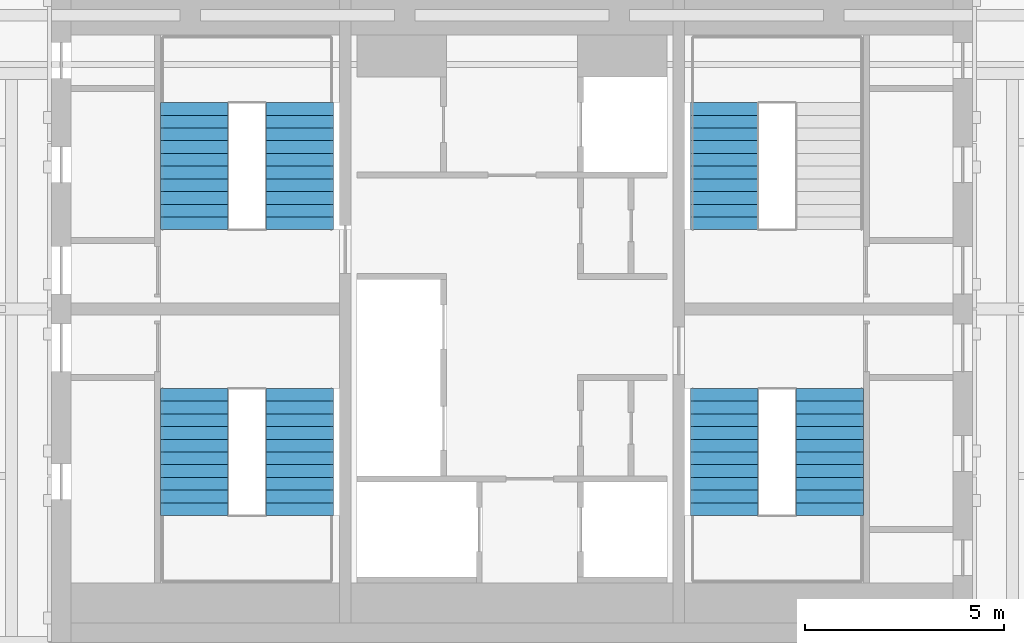
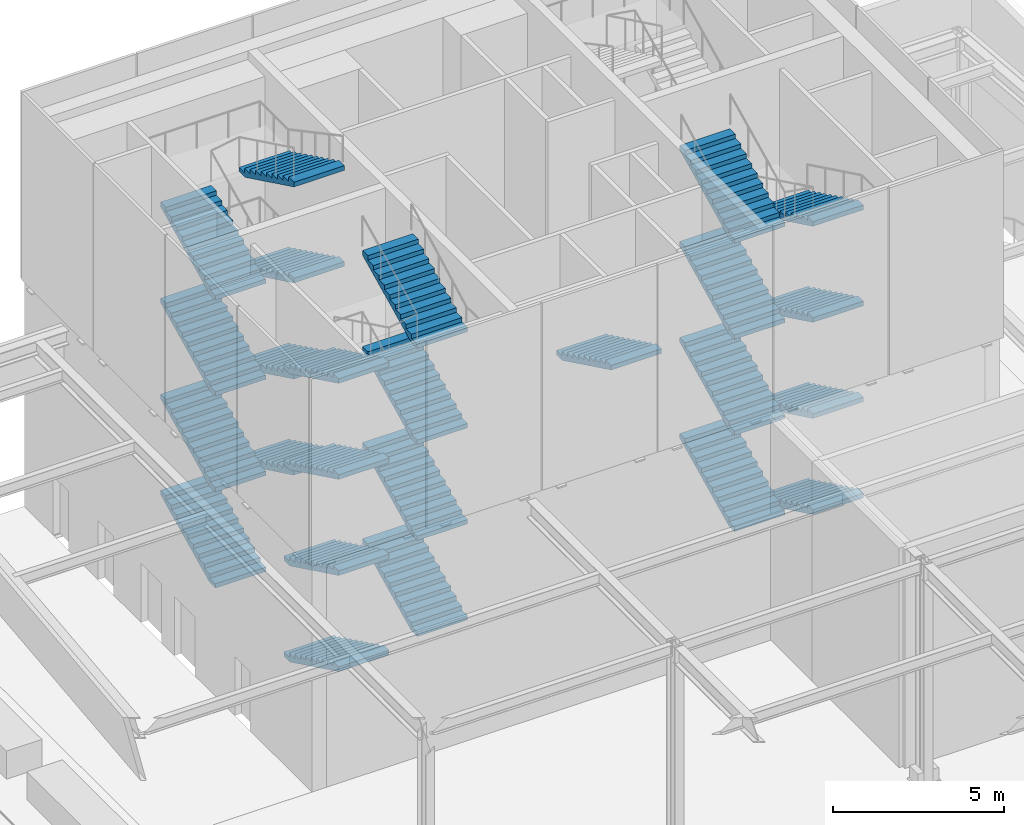
# One storey, part 8 of 14: 25 stair flights, 4 elements without a shape of their own.
"""IFC4 building model written with IfcOpenShell, lengths in metres."""

import ifcopenshell
import ifcopenshell.guid

model = None  # the IFC model being written
_history = None  # IfcOwnerHistory: only IFC2X3 demands one
_inside = {}  # id of a spatial element -> (the spatial element, [elements in it])
_under = {}  # id of a project, library or spatial element -> (it, [spatial elements below it])
_declared = {}  # id of a project -> (the project, [libraries it declares])
_typed = {}  # id of a type object -> (the type object, [elements of that type])
_made_of = {}  # id of a material, layer set ... -> (it, [elements and type objects made of it])


def new_model(schema):
    """Start an empty IFC model of exactly this schema.

    Asked for "IFC4X3", IfcOpenShell would pick the latest addendum, in which some entities
    have other attributes; the version numbers below select the first issue.
    IFC2X3 requires an IfcOwnerHistory on every rooted entity: one is made here for all.
    """
    global model, _history
    if schema == "IFC4X3":
        model = ifcopenshell.file(schema_version=(4, 3, 0, 0))
    else:
        model = ifcopenshell.file(schema=schema)
    _inside.clear()
    _under.clear()
    _declared.clear()
    _typed.clear()
    _made_of.clear()
    _history = None
    if model.schema == "IFC2X3":
        org = make("IfcOrganization", Name="unknown")
        user = make(
            "IfcPersonAndOrganization",
            ThePerson=make("IfcPerson", FamilyName="unknown"),
            TheOrganization=org,
        )
        app = make(
            "IfcApplication",
            ApplicationDeveloper=org,
            Version="unknown",
            ApplicationFullName="unknown",
            ApplicationIdentifier="unknown",
        )
        _history = make(
            "IfcOwnerHistory",
            OwningUser=user,
            OwningApplication=app,
            ChangeAction="ADDED",
            CreationDate=0,
        )
    return model


def make(cls, **values):
    """One entity of the class cls with the attributes given. An attribute that is None is left unset."""
    return model.create_entity(
        cls, **{name: value for name, value in values.items() if value is not None}
    )


def rooted(cls, **values):
    """An entity with a GlobalId (a new one), such as an element, a storey or a relation."""
    return make(cls, GlobalId=ifcopenshell.guid.new(), OwnerHistory=_history, **values)


def si_unit(unit_type, name, prefix=None):
    """IfcSIUnit, for example si_unit("LENGTHUNIT", "METRE", prefix="MILLI")."""
    return make("IfcSIUnit", UnitType=unit_type, Prefix=prefix, Name=name)


def assignment(units):
    """IfcUnitAssignment: the units of a project."""
    return None if units is None else make("IfcUnitAssignment", Units=units)


def point(xyz):
    """IfcCartesianPoint."""
    return None if xyz is None else make("IfcCartesianPoint", Coordinates=xyz)


def direction(xyz):
    """IfcDirection."""
    return None if xyz is None else make("IfcDirection", DirectionRatios=xyz)


def frame(location, z_axis=None, x_axis=None):
    """IfcAxis2Placement3D, a coordinate frame: its origin and axes. An axis left out is left unset."""
    return make(
        "IfcAxis2Placement3D",
        Location=point(location),
        Axis=direction(z_axis),
        RefDirection=direction(x_axis),
    )


def origin():
    """The frame at (0, 0, 0) with its axes left unset."""
    return frame((0.0, 0.0, 0.0))


def place(relative_to, where):
    """IfcLocalPlacement: puts the frame where relative to a parent placement (None: the world)."""
    return make(
        "IfcLocalPlacement", PlacementRelTo=relative_to, RelativePlacement=where
    )


def context(
    kind, dimensions, precision=None, world=None, true_north=None, identifier=None
):
    """IfcGeometricRepresentationContext, for example the 3D "Model" context."""
    return make(
        "IfcGeometricRepresentationContext",
        ContextIdentifier=identifier,
        ContextType=kind,
        CoordinateSpaceDimension=dimensions,
        Precision=precision,
        WorldCoordinateSystem=world,
        TrueNorth=true_north,
    )


def subcontext(parent, identifier, kind, view, scale=None):
    """IfcGeometricRepresentationSubContext, for example "Body" below "Model"."""
    return make(
        "IfcGeometricRepresentationSubContext",
        ContextIdentifier=identifier,
        ContextType=kind,
        ParentContext=parent,
        TargetScale=scale,
        TargetView=view,
    )


def project(units=None, contexts=None):
    """IfcProject with its units and contexts."""
    return rooted(
        "IfcProject",
        Name="project",
        RepresentationContexts=contexts,
        UnitsInContext=assignment(units),
    )


def spatial(cls, under=None, at=None, **own):
    """A site, building, storey or space (cls), placed at a placement, below another one or the project."""
    s = rooted(cls, ObjectPlacement=at, **own)
    if under is not None:
        _under.setdefault(under.id(), (under, []))[1].append(s)
    return s


def polyline(points):
    """IfcPolyline through the points."""
    return make("IfcPolyline", Points=[point(p) for p in points])


def outline(outer, holes=None, kind="AREA"):
    """IfcArbitraryClosedProfileDef: a profile drawn as a closed curve; with holes, ...WithVoids."""
    if holes is None:
        return make("IfcArbitraryClosedProfileDef", ProfileType=kind, OuterCurve=outer)
    return make(
        "IfcArbitraryProfileDefWithVoids",
        ProfileType=kind,
        OuterCurve=outer,
        InnerCurves=holes,
    )


def extrude(swept, where, along, depth):
    """IfcExtrudedAreaSolid: the profile swept, set in the frame where, extruded along a direction by depth."""
    return make(
        "IfcExtrudedAreaSolid",
        SweptArea=swept,
        Position=where,
        ExtrudedDirection=direction(along),
        Depth=depth,
    )


def shape(context_of_items, identifier, shape_type, items):
    """IfcShapeRepresentation: the items that make up one representation, for example the "Body"."""
    return make(
        "IfcShapeRepresentation",
        ContextOfItems=context_of_items,
        RepresentationIdentifier=identifier,
        RepresentationType=shape_type,
        Items=items,
    )


def material(Name=None, Category=None):
    """IfcMaterial."""
    return make("IfcMaterial", Name=Name, Category=Category)


def made_of(thing, what):
    """Note that an element or type object is made of a material, layer set ...; save() writes the relation."""
    if what is not None:
        _made_of.setdefault(what.id(), (what, []))[1].append(thing)
    return thing


def type_object(cls, material=None, **own):
    """A type object (cls), such as IfcWallType, which elements share."""
    return made_of(rooted(cls, **own), material)


def element(
    cls,
    number,
    at=None,
    inside=None,
    cuts=None,
    type_object=None,
    material=None,
    context=None,
    identifier="Body",
    shape_type=None,
    held_by="IfcProductDefinitionShape",
    body=None,
    shapes=None,
    **own,
):
    """One element of the class cls, such as IfcWall. Its Tag is "e" and its number.

    at: its placement. inside: the storey or other place that contains it. cuts: it is an
    opening in that element (IfcRelVoidsElement). A single representation is given by context,
    identifier, shape_type and body (its items); several are given by shapes. held_by: the class
    of the entity that holds the representations. save() writes the other relations.
    """
    e = rooted(cls, Tag="e%d" % number, ObjectPlacement=at, **own)
    if body is not None:
        shapes = [shape(context, identifier, shape_type, body)]
    if shapes is not None:
        e.Representation = make(held_by, Representations=shapes)
    if inside is not None:
        _inside.setdefault(inside.id(), (inside, []))[1].append(e)
    if cuts is not None:
        rooted(
            "IfcRelVoidsElement", RelatingBuildingElement=cuts, RelatedOpeningElement=e
        )
    if type_object is not None:
        _typed.setdefault(type_object.id(), (type_object, []))[1].append(e)
    return made_of(e, material)


def aggregate(whole, parts):
    """IfcRelAggregates: a whole, such as a stair, and the parts it consists of."""
    return rooted("IfcRelAggregates", RelatingObject=whole, RelatedObjects=parts)


def save(model, path):
    """Write the relations noted so far, then the file.

    IfcRelAggregates (storeys below a building ...), IfcRelContainedInSpatialStructure (elements
    in a storey), IfcRelDefinesByType, IfcRelAssociatesMaterial and IfcRelDeclares: one each for
    every whole, place, type object, material and project.
    """
    for whole, parts in _under.values():
        aggregate(whole, parts)
    for where, things in _inside.values():
        rooted(
            "IfcRelContainedInSpatialStructure",
            RelatedElements=things,
            RelatingStructure=where,
        )
    for kind, things in _typed.values():
        rooted("IfcRelDefinesByType", RelatedObjects=things, RelatingType=kind)
    for what, things in _made_of.values():
        rooted("IfcRelAssociatesMaterial", RelatedObjects=things, RelatingMaterial=what)
    for by, libraries in _declared.values():
        rooted("IfcRelDeclares", RelatingContext=by, RelatedDefinitions=libraries)
    model.write(path)


model = new_model("IFC4")

# Units and contexts
model_context = context("Model", 3, precision=1e-05, world=origin(), true_north=direction((0.0, 1.0)))
body_context = subcontext(model_context, "Body", "Model", "MODEL_VIEW")
ifc_project = project(units=[si_unit("LENGTHUNIT", "METRE"), si_unit("AREAUNIT", "SQUARE_METRE"), si_unit("VOLUMEUNIT", "CUBIC_METRE"), si_unit("PLANEANGLEUNIT", "RADIAN"), si_unit("MASSUNIT", "GRAM", prefix="KILO")], contexts=[model_context])

# Site, building, storey
site_placement = place(None, origin())
site = spatial("IfcSite", under=ifc_project, at=site_placement, CompositionType="ELEMENT")
building_placement = place(site_placement, origin())
building = spatial("IfcBuilding", under=site, at=building_placement, Name="Marenta Gate Hotel Tower", CompositionType="ELEMENT")
storey_placement = place(building_placement, frame((0.0, 0.0, 295.699951171875)))
storey = spatial("IfcBuildingStorey", under=building, at=storey_placement, Name="L67", CompositionType="ELEMENT", Elevation=295.699951171875)

# Stair, stair flights
ifc_material_1 = material(Name="Concrete C40", Category="concrete")
stair_type = type_object("IfcStairType", Name="Core exit stair 1700 wide", PredefinedType="HALF_TURN_STAIR", material=ifc_material_1)
stair_1_placement = place(storey_placement, origin())
stair_1 = element("IfcStair", 1, at=stair_1_placement, inside=storey, type_object=stair_type, Name="Exit stair 1", PredefinedType="HALF_TURN_STAIR")
ifc_material_2 = material(Name="Concrete C40", Category="concrete")
stair_flight_type = type_object("IfcStairFlightType", Name="Core stair flight 1700 riser 155.7 going 320", PredefinedType="STRAIGHT", material=ifc_material_2)
stair_flight_1_placement = place(storey_placement, frame((-8.0, 6.39990234375, 0.0), z_axis=(0.0, 0.0, 1.0), x_axis=(0.0, -1.0, 0.0)))
stair_flight_1 = element("IfcStairFlight", 2, at=stair_flight_1_placement, type_object=stair_flight_type, Name="ST1 flight 1", NumberOfRisers=11, NumberOfTreads=10, PredefinedType="STRAIGHT", RiserHeight=0.155682, TreadLength=0.32, context=body_context, shape_type="SweptSolid", body=[
    extrude(outline(polyline([(0.0, 0.0), (0.0, 0.15576171875), (0.320068359375, 0.15576171875), (0.320068359375, 0.311279296875), (0.639892578125, 0.311279296875), (0.639892578125, 0.467041015625), (0.9599609375, 0.467041015625), (0.9599609375, 0.622802734375), (1.280029296875, 0.622802734375), (1.280029296875, 0.7783203125), (1.60009765625, 0.7783203125), (1.60009765625, 0.93408203125), (1.919921875, 0.93408203125), (1.919921875, 1.08984375), (2.239990234375, 1.08984375), (2.239990234375, 1.245361328125), (2.56005859375, 1.245361328125), (2.56005859375, 1.401123046875), (2.8798828125, 1.401123046875), (2.8798828125, 1.556884765625), (3.199951171875, 1.556884765625), (3.199951171875, 1.71240234375), (3.199951171875, 1.39013671875), (0.342529296875, 0.0), (0.0, 0.0)])), frame((0.0, 0.85009765625, 0.0), z_axis=(0.0, -1.0, 0.0), x_axis=(1.0, 0.0, 0.0)), (0.0, 0.0, 1.0), 1.699951171875),
])
stair_flight_2_placement = place(storey_placement, frame((-5.35009765625, 3.199951171875, 1.712646484375), z_axis=(0.0, 0.0, 1.0), x_axis=(0.0, 1.0, 0.0)))
stair_flight_2 = element("IfcStairFlight", 3, at=stair_flight_2_placement, type_object=stair_flight_type, Name="ST1 flight 2", NumberOfRisers=11, NumberOfTreads=10, PredefinedType="STRAIGHT", RiserHeight=0.155682, TreadLength=0.32, context=body_context, shape_type="SweptSolid", body=[
    extrude(outline(polyline([(0.0, 0.0), (0.0, 0.15576171875), (0.320068359375, 0.15576171875), (0.320068359375, 0.311279296875), (0.639892578125, 0.311279296875), (0.639892578125, 0.467041015625), (0.9599609375, 0.467041015625), (0.9599609375, 0.622802734375), (1.280029296875, 0.622802734375), (1.280029296875, 0.7783203125), (1.60009765625, 0.7783203125), (1.60009765625, 0.93408203125), (1.919921875, 0.93408203125), (1.919921875, 1.08984375), (2.239990234375, 1.08984375), (2.239990234375, 1.245361328125), (2.56005859375, 1.245361328125), (2.56005859375, 1.401123046875), (2.8798828125, 1.401123046875), (2.8798828125, 1.556884765625), (3.199951171875, 1.556884765625), (3.199951171875, 1.71240234375), (3.199951171875, 1.39013671875), (0.342529296875, 0.0), (0.0, 0.0)])), frame((0.0, 0.85009765625, 0.0), z_axis=(0.0, -1.0, 0.0), x_axis=(1.0, 0.0, 0.0)), (0.0, 0.0, 1.0), 1.699951171875),
])
stair_flight_3_placement = place(storey_placement, frame((-8.0, 6.39990234375, 3.425048828125), z_axis=(0.0, 0.0, 1.0), x_axis=(0.0, -1.0, 0.0)))
stair_flight_3 = element("IfcStairFlight", 4, at=stair_flight_3_placement, type_object=stair_flight_type, Name="ST1 flight 3", NumberOfRisers=11, NumberOfTreads=10, PredefinedType="STRAIGHT", RiserHeight=0.155682, TreadLength=0.32, context=body_context, shape_type="SweptSolid", body=[
    extrude(outline(polyline([(0.0, 0.0), (0.0, 0.15576171875), (0.320068359375, 0.15576171875), (0.320068359375, 0.311279296875), (0.639892578125, 0.311279296875), (0.639892578125, 0.467041015625), (0.9599609375, 0.467041015625), (0.9599609375, 0.622802734375), (1.280029296875, 0.622802734375), (1.280029296875, 0.7783203125), (1.60009765625, 0.7783203125), (1.60009765625, 0.93408203125), (1.919921875, 0.93408203125), (1.919921875, 1.08984375), (2.239990234375, 1.08984375), (2.239990234375, 1.245361328125), (2.56005859375, 1.245361328125), (2.56005859375, 1.401123046875), (2.8798828125, 1.401123046875), (2.8798828125, 1.556884765625), (3.199951171875, 1.556884765625), (3.199951171875, 1.71240234375), (3.199951171875, 1.39013671875), (0.342529296875, 0.0), (0.0, 0.0)])), frame((0.0, 0.85009765625, 0.0), z_axis=(0.0, -1.0, 0.0), x_axis=(1.0, 0.0, 0.0)), (0.0, 0.0, 1.0), 1.699951171875),
])
stair_flight_4_placement = place(storey_placement, frame((-5.35009765625, 3.199951171875, 5.137451171875), z_axis=(0.0, 0.0, 1.0), x_axis=(0.0, 1.0, 0.0)))
stair_flight_4 = element("IfcStairFlight", 5, at=stair_flight_4_placement, type_object=stair_flight_type, Name="ST1 flight 4", NumberOfRisers=11, NumberOfTreads=10, PredefinedType="STRAIGHT", RiserHeight=0.155682, TreadLength=0.32, context=body_context, shape_type="SweptSolid", body=[
    extrude(outline(polyline([(0.0, 0.0), (0.0, 0.15576171875), (0.320068359375, 0.15576171875), (0.320068359375, 0.311279296875), (0.639892578125, 0.311279296875), (0.639892578125, 0.467041015625), (0.9599609375, 0.467041015625), (0.9599609375, 0.622802734375), (1.280029296875, 0.622802734375), (1.280029296875, 0.7783203125), (1.60009765625, 0.7783203125), (1.60009765625, 0.93408203125), (1.919921875, 0.93408203125), (1.919921875, 1.08984375), (2.239990234375, 1.08984375), (2.239990234375, 1.245361328125), (2.56005859375, 1.245361328125), (2.56005859375, 1.401123046875), (2.8798828125, 1.401123046875), (2.8798828125, 1.556884765625), (3.199951171875, 1.556884765625), (3.199951171875, 1.71240234375), (3.199951171875, 1.39013671875), (0.342529296875, 0.0), (0.0, 0.0)])), frame((0.0, 0.85009765625, 0.0), z_axis=(0.0, -1.0, 0.0), x_axis=(1.0, 0.0, 0.0)), (0.0, 0.0, 1.0), 1.699951171875),
])
stair_flight_5_placement = place(storey_placement, frame((-8.0, 6.39990234375, 6.85009765625), z_axis=(0.0, 0.0, 1.0), x_axis=(0.0, -1.0, 0.0)))
stair_flight_5 = element("IfcStairFlight", 6, at=stair_flight_5_placement, type_object=stair_flight_type, Name="ST1 flight 5", NumberOfRisers=11, NumberOfTreads=10, PredefinedType="STRAIGHT", RiserHeight=0.155682, TreadLength=0.32, context=body_context, shape_type="SweptSolid", body=[
    extrude(outline(polyline([(0.0, 0.0), (0.0, 0.15576171875), (0.320068359375, 0.15576171875), (0.320068359375, 0.311279296875), (0.639892578125, 0.311279296875), (0.639892578125, 0.467041015625), (0.9599609375, 0.467041015625), (0.9599609375, 0.622802734375), (1.280029296875, 0.622802734375), (1.280029296875, 0.7783203125), (1.60009765625, 0.7783203125), (1.60009765625, 0.93408203125), (1.919921875, 0.93408203125), (1.919921875, 1.08984375), (2.239990234375, 1.08984375), (2.239990234375, 1.245361328125), (2.56005859375, 1.245361328125), (2.56005859375, 1.401123046875), (2.8798828125, 1.401123046875), (2.8798828125, 1.556884765625), (3.199951171875, 1.556884765625), (3.199951171875, 1.71240234375), (3.199951171875, 1.39013671875), (0.342529296875, 0.0), (0.0, 0.0)])), frame((0.0, 0.85009765625, 0.0), z_axis=(0.0, -1.0, 0.0), x_axis=(1.0, 0.0, 0.0)), (0.0, 0.0, 1.0), 1.699951171875),
])
stair_flight_6_placement = place(storey_placement, frame((-5.35009765625, 3.199951171875, 8.5625), z_axis=(0.0, 0.0, 1.0), x_axis=(0.0, 1.0, 0.0)))
stair_flight_6 = element("IfcStairFlight", 7, at=stair_flight_6_placement, type_object=stair_flight_type, Name="ST1 flight 6", NumberOfRisers=11, NumberOfTreads=10, PredefinedType="STRAIGHT", RiserHeight=0.155682, TreadLength=0.32, context=body_context, shape_type="SweptSolid", body=[
    extrude(outline(polyline([(0.0, 0.0), (0.0, 0.15576171875), (0.320068359375, 0.15576171875), (0.320068359375, 0.311279296875), (0.639892578125, 0.311279296875), (0.639892578125, 0.467041015625), (0.9599609375, 0.467041015625), (0.9599609375, 0.622802734375), (1.280029296875, 0.622802734375), (1.280029296875, 0.7783203125), (1.60009765625, 0.7783203125), (1.60009765625, 0.93408203125), (1.919921875, 0.93408203125), (1.919921875, 1.08984375), (2.239990234375, 1.08984375), (2.239990234375, 1.245361328125), (2.56005859375, 1.245361328125), (2.56005859375, 1.401123046875), (2.8798828125, 1.401123046875), (2.8798828125, 1.556884765625), (3.199951171875, 1.556884765625), (3.199951171875, 1.71240234375), (3.199951171875, 1.39013671875), (0.342529296875, 0.0), (0.0, 0.0)])), frame((0.0, 0.85009765625, 0.0), z_axis=(0.0, -1.0, 0.0), x_axis=(1.0, 0.0, 0.0)), (0.0, 0.0, 1.0), 1.699951171875),
])
stair_flight_7_placement = place(storey_placement, frame((-8.0, 6.39990234375, 10.275146484375), z_axis=(0.0, 0.0, 1.0), x_axis=(0.0, -1.0, 0.0)))
stair_flight_7 = element("IfcStairFlight", 8, at=stair_flight_7_placement, type_object=stair_flight_type, Name="ST1 flight 7", NumberOfRisers=11, NumberOfTreads=10, PredefinedType="STRAIGHT", RiserHeight=0.155682, TreadLength=0.32, context=body_context, shape_type="SweptSolid", body=[
    extrude(outline(polyline([(0.0, 0.0), (0.0, 0.15576171875), (0.320068359375, 0.15576171875), (0.320068359375, 0.311279296875), (0.639892578125, 0.311279296875), (0.639892578125, 0.467041015625), (0.9599609375, 0.467041015625), (0.9599609375, 0.622802734375), (1.280029296875, 0.622802734375), (1.280029296875, 0.7783203125), (1.60009765625, 0.7783203125), (1.60009765625, 0.93408203125), (1.919921875, 0.93408203125), (1.919921875, 1.08984375), (2.239990234375, 1.08984375), (2.239990234375, 1.245361328125), (2.56005859375, 1.245361328125), (2.56005859375, 1.401123046875), (2.8798828125, 1.401123046875), (2.8798828125, 1.556884765625), (3.199951171875, 1.556884765625), (3.199951171875, 1.71240234375), (3.199951171875, 1.39013671875), (0.342529296875, 0.0), (0.0, 0.0)])), frame((0.0, 0.85009765625, 0.0), z_axis=(0.0, -1.0, 0.0), x_axis=(1.0, 0.0, 0.0)), (0.0, 0.0, 1.0), 1.699951171875),
])
stair_flight_8_placement = place(storey_placement, frame((-5.35009765625, 3.199951171875, 11.987548828125), z_axis=(0.0, 0.0, 1.0), x_axis=(0.0, 1.0, 0.0)))
stair_flight_8 = element("IfcStairFlight", 9, at=stair_flight_8_placement, type_object=stair_flight_type, Name="ST1 flight 8", NumberOfRisers=11, NumberOfTreads=10, PredefinedType="STRAIGHT", RiserHeight=0.155682, TreadLength=0.32, context=body_context, shape_type="SweptSolid", body=[
    extrude(outline(polyline([(0.0, 0.0), (0.0, 0.15576171875), (0.320068359375, 0.15576171875), (0.320068359375, 0.311279296875), (0.639892578125, 0.311279296875), (0.639892578125, 0.467041015625), (0.9599609375, 0.467041015625), (0.9599609375, 0.622802734375), (1.280029296875, 0.622802734375), (1.280029296875, 0.7783203125), (1.60009765625, 0.7783203125), (1.60009765625, 0.93408203125), (1.919921875, 0.93408203125), (1.919921875, 1.08984375), (2.239990234375, 1.08984375), (2.239990234375, 1.245361328125), (2.56005859375, 1.245361328125), (2.56005859375, 1.401123046875), (2.8798828125, 1.401123046875), (2.8798828125, 1.556884765625), (3.199951171875, 1.556884765625), (3.199951171875, 1.71240234375), (3.199951171875, 1.39013671875), (0.342529296875, 0.0), (0.0, 0.0)])), frame((0.0, 0.85009765625, 0.0), z_axis=(0.0, -1.0, 0.0), x_axis=(1.0, 0.0, 0.0)), (0.0, 0.0, 1.0), 1.699951171875),
])
aggregate(stair_1, [stair_flight_1, stair_flight_2, stair_flight_3, stair_flight_4, stair_flight_5, stair_flight_6, stair_flight_7, stair_flight_8])

stair_2_placement = place(storey_placement, origin())
stair_2 = element("IfcStair", 10, at=stair_2_placement, inside=storey, type_object=stair_type, Name="Exit stair 2", PredefinedType="HALF_TURN_STAIR")
stair_flight_9_placement = place(storey_placement, frame((-8.0, 10.39990234375, 0.0), z_axis=(0.0, 0.0, 1.0), x_axis=(0.0, 1.0, 0.0)))
stair_flight_9 = element("IfcStairFlight", 11, at=stair_flight_9_placement, type_object=stair_flight_type, Name="ST2 flight 1", NumberOfRisers=11, NumberOfTreads=10, PredefinedType="STRAIGHT", RiserHeight=0.155682, TreadLength=0.32, context=body_context, shape_type="SweptSolid", body=[
    extrude(outline(polyline([(0.0, 0.0), (0.0, 0.15576171875), (0.320068359375, 0.15576171875), (0.320068359375, 0.311279296875), (0.639892578125, 0.311279296875), (0.639892578125, 0.467041015625), (0.9599609375, 0.467041015625), (0.9599609375, 0.622802734375), (1.280029296875, 0.622802734375), (1.280029296875, 0.7783203125), (1.60009765625, 0.7783203125), (1.60009765625, 0.93408203125), (1.919921875, 0.93408203125), (1.919921875, 1.08984375), (2.239990234375, 1.08984375), (2.239990234375, 1.245361328125), (2.56005859375, 1.245361328125), (2.56005859375, 1.401123046875), (2.8798828125, 1.401123046875), (2.8798828125, 1.556884765625), (3.199951171875, 1.556884765625), (3.199951171875, 1.71240234375), (3.199951171875, 1.39013671875), (0.342529296875, 0.0), (0.0, 0.0)])), frame((0.0, 0.85009765625, 0.0), z_axis=(0.0, -1.0, 0.0), x_axis=(1.0, 0.0, 0.0)), (0.0, 0.0, 1.0), 1.699951171875),
])
stair_flight_10_placement = place(storey_placement, frame((-5.35009765625, 13.60009765625, 1.712646484375), z_axis=(0.0, 0.0, 1.0), x_axis=(0.0, -1.0, 0.0)))
stair_flight_10 = element("IfcStairFlight", 12, at=stair_flight_10_placement, type_object=stair_flight_type, Name="ST2 flight 2", NumberOfRisers=11, NumberOfTreads=10, PredefinedType="STRAIGHT", RiserHeight=0.155682, TreadLength=0.32, context=body_context, shape_type="SweptSolid", body=[
    extrude(outline(polyline([(0.0, 0.0), (0.0, 0.15576171875), (0.320068359375, 0.15576171875), (0.320068359375, 0.311279296875), (0.639892578125, 0.311279296875), (0.639892578125, 0.467041015625), (0.9599609375, 0.467041015625), (0.9599609375, 0.622802734375), (1.280029296875, 0.622802734375), (1.280029296875, 0.7783203125), (1.60009765625, 0.7783203125), (1.60009765625, 0.93408203125), (1.919921875, 0.93408203125), (1.919921875, 1.08984375), (2.239990234375, 1.08984375), (2.239990234375, 1.245361328125), (2.56005859375, 1.245361328125), (2.56005859375, 1.401123046875), (2.8798828125, 1.401123046875), (2.8798828125, 1.556884765625), (3.199951171875, 1.556884765625), (3.199951171875, 1.71240234375), (3.199951171875, 1.39013671875), (0.342529296875, 0.0), (0.0, 0.0)])), frame((0.0, 0.85009765625, 0.0), z_axis=(0.0, -1.0, 0.0), x_axis=(1.0, 0.0, 0.0)), (0.0, 0.0, 1.0), 1.699951171875),
])
stair_flight_11_placement = place(storey_placement, frame((-8.0, 10.39990234375, 3.425048828125), z_axis=(0.0, 0.0, 1.0), x_axis=(0.0, 1.0, 0.0)))
stair_flight_11 = element("IfcStairFlight", 13, at=stair_flight_11_placement, type_object=stair_flight_type, Name="ST2 flight 3", NumberOfRisers=11, NumberOfTreads=10, PredefinedType="STRAIGHT", RiserHeight=0.155682, TreadLength=0.32, context=body_context, shape_type="SweptSolid", body=[
    extrude(outline(polyline([(0.0, 0.0), (0.0, 0.15576171875), (0.320068359375, 0.15576171875), (0.320068359375, 0.311279296875), (0.639892578125, 0.311279296875), (0.639892578125, 0.467041015625), (0.9599609375, 0.467041015625), (0.9599609375, 0.622802734375), (1.280029296875, 0.622802734375), (1.280029296875, 0.7783203125), (1.60009765625, 0.7783203125), (1.60009765625, 0.93408203125), (1.919921875, 0.93408203125), (1.919921875, 1.08984375), (2.239990234375, 1.08984375), (2.239990234375, 1.245361328125), (2.56005859375, 1.245361328125), (2.56005859375, 1.401123046875), (2.8798828125, 1.401123046875), (2.8798828125, 1.556884765625), (3.199951171875, 1.556884765625), (3.199951171875, 1.71240234375), (3.199951171875, 1.39013671875), (0.342529296875, 0.0), (0.0, 0.0)])), frame((0.0, 0.85009765625, 0.0), z_axis=(0.0, -1.0, 0.0), x_axis=(1.0, 0.0, 0.0)), (0.0, 0.0, 1.0), 1.699951171875),
])
stair_flight_12_placement = place(storey_placement, frame((-5.35009765625, 13.60009765625, 5.137451171875), z_axis=(0.0, 0.0, 1.0), x_axis=(0.0, -1.0, 0.0)))
stair_flight_12 = element("IfcStairFlight", 14, at=stair_flight_12_placement, type_object=stair_flight_type, Name="ST2 flight 4", NumberOfRisers=11, NumberOfTreads=10, PredefinedType="STRAIGHT", RiserHeight=0.155682, TreadLength=0.32, context=body_context, shape_type="SweptSolid", body=[
    extrude(outline(polyline([(0.0, 0.0), (0.0, 0.15576171875), (0.320068359375, 0.15576171875), (0.320068359375, 0.311279296875), (0.639892578125, 0.311279296875), (0.639892578125, 0.467041015625), (0.9599609375, 0.467041015625), (0.9599609375, 0.622802734375), (1.280029296875, 0.622802734375), (1.280029296875, 0.7783203125), (1.60009765625, 0.7783203125), (1.60009765625, 0.93408203125), (1.919921875, 0.93408203125), (1.919921875, 1.08984375), (2.239990234375, 1.08984375), (2.239990234375, 1.245361328125), (2.56005859375, 1.245361328125), (2.56005859375, 1.401123046875), (2.8798828125, 1.401123046875), (2.8798828125, 1.556884765625), (3.199951171875, 1.556884765625), (3.199951171875, 1.71240234375), (3.199951171875, 1.39013671875), (0.342529296875, 0.0), (0.0, 0.0)])), frame((0.0, 0.85009765625, 0.0), z_axis=(0.0, -1.0, 0.0), x_axis=(1.0, 0.0, 0.0)), (0.0, 0.0, 1.0), 1.699951171875),
])
stair_flight_13_placement = place(storey_placement, frame((-8.0, 10.39990234375, 6.85009765625), z_axis=(0.0, 0.0, 1.0), x_axis=(0.0, 1.0, 0.0)))
stair_flight_13 = element("IfcStairFlight", 15, at=stair_flight_13_placement, type_object=stair_flight_type, Name="ST2 flight 5", NumberOfRisers=11, NumberOfTreads=10, PredefinedType="STRAIGHT", RiserHeight=0.155682, TreadLength=0.32, context=body_context, shape_type="SweptSolid", body=[
    extrude(outline(polyline([(0.0, 0.0), (0.0, 0.15576171875), (0.320068359375, 0.15576171875), (0.320068359375, 0.311279296875), (0.639892578125, 0.311279296875), (0.639892578125, 0.467041015625), (0.9599609375, 0.467041015625), (0.9599609375, 0.622802734375), (1.280029296875, 0.622802734375), (1.280029296875, 0.7783203125), (1.60009765625, 0.7783203125), (1.60009765625, 0.93408203125), (1.919921875, 0.93408203125), (1.919921875, 1.08984375), (2.239990234375, 1.08984375), (2.239990234375, 1.245361328125), (2.56005859375, 1.245361328125), (2.56005859375, 1.401123046875), (2.8798828125, 1.401123046875), (2.8798828125, 1.556884765625), (3.199951171875, 1.556884765625), (3.199951171875, 1.71240234375), (3.199951171875, 1.39013671875), (0.342529296875, 0.0), (0.0, 0.0)])), frame((0.0, 0.85009765625, 0.0), z_axis=(0.0, -1.0, 0.0), x_axis=(1.0, 0.0, 0.0)), (0.0, 0.0, 1.0), 1.699951171875),
])
stair_flight_14_placement = place(storey_placement, frame((-5.35009765625, 13.60009765625, 8.5625), z_axis=(0.0, 0.0, 1.0), x_axis=(0.0, -1.0, 0.0)))
stair_flight_14 = element("IfcStairFlight", 16, at=stair_flight_14_placement, type_object=stair_flight_type, Name="ST2 flight 6", NumberOfRisers=11, NumberOfTreads=10, PredefinedType="STRAIGHT", RiserHeight=0.155682, TreadLength=0.32, context=body_context, shape_type="SweptSolid", body=[
    extrude(outline(polyline([(0.0, 0.0), (0.0, 0.15576171875), (0.320068359375, 0.15576171875), (0.320068359375, 0.311279296875), (0.639892578125, 0.311279296875), (0.639892578125, 0.467041015625), (0.9599609375, 0.467041015625), (0.9599609375, 0.622802734375), (1.280029296875, 0.622802734375), (1.280029296875, 0.7783203125), (1.60009765625, 0.7783203125), (1.60009765625, 0.93408203125), (1.919921875, 0.93408203125), (1.919921875, 1.08984375), (2.239990234375, 1.08984375), (2.239990234375, 1.245361328125), (2.56005859375, 1.245361328125), (2.56005859375, 1.401123046875), (2.8798828125, 1.401123046875), (2.8798828125, 1.556884765625), (3.199951171875, 1.556884765625), (3.199951171875, 1.71240234375), (3.199951171875, 1.39013671875), (0.342529296875, 0.0), (0.0, 0.0)])), frame((0.0, 0.85009765625, 0.0), z_axis=(0.0, -1.0, 0.0), x_axis=(1.0, 0.0, 0.0)), (0.0, 0.0, 1.0), 1.699951171875),
])
stair_flight_15_placement = place(storey_placement, frame((-8.0, 10.39990234375, 10.275146484375), z_axis=(0.0, 0.0, 1.0), x_axis=(0.0, 1.0, 0.0)))
stair_flight_15 = element("IfcStairFlight", 17, at=stair_flight_15_placement, type_object=stair_flight_type, Name="ST2 flight 7", NumberOfRisers=11, NumberOfTreads=10, PredefinedType="STRAIGHT", RiserHeight=0.155682, TreadLength=0.32, context=body_context, shape_type="SweptSolid", body=[
    extrude(outline(polyline([(0.0, 0.0), (0.0, 0.15576171875), (0.320068359375, 0.15576171875), (0.320068359375, 0.311279296875), (0.639892578125, 0.311279296875), (0.639892578125, 0.467041015625), (0.9599609375, 0.467041015625), (0.9599609375, 0.622802734375), (1.280029296875, 0.622802734375), (1.280029296875, 0.7783203125), (1.60009765625, 0.7783203125), (1.60009765625, 0.93408203125), (1.919921875, 0.93408203125), (1.919921875, 1.08984375), (2.239990234375, 1.08984375), (2.239990234375, 1.245361328125), (2.56005859375, 1.245361328125), (2.56005859375, 1.401123046875), (2.8798828125, 1.401123046875), (2.8798828125, 1.556884765625), (3.199951171875, 1.556884765625), (3.199951171875, 1.71240234375), (3.199951171875, 1.39013671875), (0.342529296875, 0.0), (0.0, 0.0)])), frame((0.0, 0.85009765625, 0.0), z_axis=(0.0, -1.0, 0.0), x_axis=(1.0, 0.0, 0.0)), (0.0, 0.0, 1.0), 1.699951171875),
])
stair_flight_16_placement = place(storey_placement, frame((-5.35009765625, 13.60009765625, 11.987548828125), z_axis=(0.0, 0.0, 1.0), x_axis=(0.0, -1.0, 0.0)))
stair_flight_16 = element("IfcStairFlight", 18, at=stair_flight_16_placement, type_object=stair_flight_type, Name="ST2 flight 8", NumberOfRisers=11, NumberOfTreads=10, PredefinedType="STRAIGHT", RiserHeight=0.155682, TreadLength=0.32, context=body_context, shape_type="SweptSolid", body=[
    extrude(outline(polyline([(0.0, 0.0), (0.0, 0.15576171875), (0.320068359375, 0.15576171875), (0.320068359375, 0.311279296875), (0.639892578125, 0.311279296875), (0.639892578125, 0.467041015625), (0.9599609375, 0.467041015625), (0.9599609375, 0.622802734375), (1.280029296875, 0.622802734375), (1.280029296875, 0.7783203125), (1.60009765625, 0.7783203125), (1.60009765625, 0.93408203125), (1.919921875, 0.93408203125), (1.919921875, 1.08984375), (2.239990234375, 1.08984375), (2.239990234375, 1.245361328125), (2.56005859375, 1.245361328125), (2.56005859375, 1.401123046875), (2.8798828125, 1.401123046875), (2.8798828125, 1.556884765625), (3.199951171875, 1.556884765625), (3.199951171875, 1.71240234375), (3.199951171875, 1.39013671875), (0.342529296875, 0.0), (0.0, 0.0)])), frame((0.0, 0.85009765625, 0.0), z_axis=(0.0, -1.0, 0.0), x_axis=(1.0, 0.0, 0.0)), (0.0, 0.0, 1.0), 1.699951171875),
])
aggregate(stair_2, [stair_flight_9, stair_flight_10, stair_flight_11, stair_flight_12, stair_flight_13, stair_flight_14, stair_flight_15, stair_flight_16])

stair_3_placement = place(storey_placement, origin())
stair_3 = element("IfcStair", 19, at=stair_3_placement, inside=storey, type_object=stair_type, Name="Exit stair 3", PredefinedType="HALF_TURN_STAIR")
stair_flight_17_placement = place(storey_placement, frame((8.0, 6.39990234375, 0.0), z_axis=(0.0, 0.0, 1.0), x_axis=(0.0, -1.0, 0.0)))
stair_flight_17 = element("IfcStairFlight", 20, at=stair_flight_17_placement, type_object=stair_flight_type, Name="ST3 flight 1", NumberOfRisers=11, NumberOfTreads=10, PredefinedType="STRAIGHT", RiserHeight=0.155682, TreadLength=0.32, context=body_context, shape_type="SweptSolid", body=[
    extrude(outline(polyline([(0.0, 0.0), (0.0, 0.15576171875), (0.320068359375, 0.15576171875), (0.320068359375, 0.311279296875), (0.639892578125, 0.311279296875), (0.639892578125, 0.467041015625), (0.9599609375, 0.467041015625), (0.9599609375, 0.622802734375), (1.280029296875, 0.622802734375), (1.280029296875, 0.7783203125), (1.60009765625, 0.7783203125), (1.60009765625, 0.93408203125), (1.919921875, 0.93408203125), (1.919921875, 1.08984375), (2.239990234375, 1.08984375), (2.239990234375, 1.245361328125), (2.56005859375, 1.245361328125), (2.56005859375, 1.401123046875), (2.8798828125, 1.401123046875), (2.8798828125, 1.556884765625), (3.199951171875, 1.556884765625), (3.199951171875, 1.71240234375), (3.199951171875, 1.39013671875), (0.342529296875, 0.0), (0.0, 0.0)])), frame((0.0, 0.85009765625, 0.0), z_axis=(0.0, -1.0, 0.0), x_axis=(1.0, 0.0, 0.0)), (0.0, 0.0, 1.0), 1.699951171875),
])
stair_flight_18_placement = place(storey_placement, frame((5.35009765625, 3.199951171875, 1.712646484375), z_axis=(0.0, 0.0, 1.0), x_axis=(0.0, 1.0, 0.0)))
stair_flight_18 = element("IfcStairFlight", 21, at=stair_flight_18_placement, type_object=stair_flight_type, Name="ST3 flight 2", NumberOfRisers=11, NumberOfTreads=10, PredefinedType="STRAIGHT", RiserHeight=0.155682, TreadLength=0.32, context=body_context, shape_type="SweptSolid", body=[
    extrude(outline(polyline([(0.0, 0.0), (0.0, 0.15576171875), (0.320068359375, 0.15576171875), (0.320068359375, 0.311279296875), (0.639892578125, 0.311279296875), (0.639892578125, 0.467041015625), (0.9599609375, 0.467041015625), (0.9599609375, 0.622802734375), (1.280029296875, 0.622802734375), (1.280029296875, 0.7783203125), (1.60009765625, 0.7783203125), (1.60009765625, 0.93408203125), (1.919921875, 0.93408203125), (1.919921875, 1.08984375), (2.239990234375, 1.08984375), (2.239990234375, 1.245361328125), (2.56005859375, 1.245361328125), (2.56005859375, 1.401123046875), (2.8798828125, 1.401123046875), (2.8798828125, 1.556884765625), (3.199951171875, 1.556884765625), (3.199951171875, 1.71240234375), (3.199951171875, 1.39013671875), (0.342529296875, 0.0), (0.0, 0.0)])), frame((0.0, 0.85009765625, 0.0), z_axis=(0.0, -1.0, 0.0), x_axis=(1.0, 0.0, 0.0)), (0.0, 0.0, 1.0), 1.699951171875),
])
stair_flight_19_placement = place(storey_placement, frame((8.0, 6.39990234375, 3.425048828125), z_axis=(0.0, 0.0, 1.0), x_axis=(0.0, -1.0, 0.0)))
stair_flight_19 = element("IfcStairFlight", 22, at=stair_flight_19_placement, type_object=stair_flight_type, Name="ST3 flight 3", NumberOfRisers=11, NumberOfTreads=10, PredefinedType="STRAIGHT", RiserHeight=0.155682, TreadLength=0.32, context=body_context, shape_type="SweptSolid", body=[
    extrude(outline(polyline([(0.0, 0.0), (0.0, 0.15576171875), (0.320068359375, 0.15576171875), (0.320068359375, 0.311279296875), (0.639892578125, 0.311279296875), (0.639892578125, 0.467041015625), (0.9599609375, 0.467041015625), (0.9599609375, 0.622802734375), (1.280029296875, 0.622802734375), (1.280029296875, 0.7783203125), (1.60009765625, 0.7783203125), (1.60009765625, 0.93408203125), (1.919921875, 0.93408203125), (1.919921875, 1.08984375), (2.239990234375, 1.08984375), (2.239990234375, 1.245361328125), (2.56005859375, 1.245361328125), (2.56005859375, 1.401123046875), (2.8798828125, 1.401123046875), (2.8798828125, 1.556884765625), (3.199951171875, 1.556884765625), (3.199951171875, 1.71240234375), (3.199951171875, 1.39013671875), (0.342529296875, 0.0), (0.0, 0.0)])), frame((0.0, 0.85009765625, 0.0), z_axis=(0.0, -1.0, 0.0), x_axis=(1.0, 0.0, 0.0)), (0.0, 0.0, 1.0), 1.699951171875),
])
stair_flight_20_placement = place(storey_placement, frame((5.35009765625, 3.199951171875, 5.137451171875), z_axis=(0.0, 0.0, 1.0), x_axis=(0.0, 1.0, 0.0)))
stair_flight_20 = element("IfcStairFlight", 23, at=stair_flight_20_placement, type_object=stair_flight_type, Name="ST3 flight 4", NumberOfRisers=11, NumberOfTreads=10, PredefinedType="STRAIGHT", RiserHeight=0.155682, TreadLength=0.32, context=body_context, shape_type="SweptSolid", body=[
    extrude(outline(polyline([(0.0, 0.0), (0.0, 0.15576171875), (0.320068359375, 0.15576171875), (0.320068359375, 0.311279296875), (0.639892578125, 0.311279296875), (0.639892578125, 0.467041015625), (0.9599609375, 0.467041015625), (0.9599609375, 0.622802734375), (1.280029296875, 0.622802734375), (1.280029296875, 0.7783203125), (1.60009765625, 0.7783203125), (1.60009765625, 0.93408203125), (1.919921875, 0.93408203125), (1.919921875, 1.08984375), (2.239990234375, 1.08984375), (2.239990234375, 1.245361328125), (2.56005859375, 1.245361328125), (2.56005859375, 1.401123046875), (2.8798828125, 1.401123046875), (2.8798828125, 1.556884765625), (3.199951171875, 1.556884765625), (3.199951171875, 1.71240234375), (3.199951171875, 1.39013671875), (0.342529296875, 0.0), (0.0, 0.0)])), frame((0.0, 0.85009765625, 0.0), z_axis=(0.0, -1.0, 0.0), x_axis=(1.0, 0.0, 0.0)), (0.0, 0.0, 1.0), 1.699951171875),
])
stair_flight_21_placement = place(storey_placement, frame((8.0, 6.39990234375, 6.85009765625), z_axis=(0.0, 0.0, 1.0), x_axis=(0.0, -1.0, 0.0)))
stair_flight_21 = element("IfcStairFlight", 24, at=stair_flight_21_placement, type_object=stair_flight_type, Name="ST3 flight 5", NumberOfRisers=11, NumberOfTreads=10, PredefinedType="STRAIGHT", RiserHeight=0.155682, TreadLength=0.32, context=body_context, shape_type="SweptSolid", body=[
    extrude(outline(polyline([(0.0, 0.0), (0.0, 0.15576171875), (0.320068359375, 0.15576171875), (0.320068359375, 0.311279296875), (0.639892578125, 0.311279296875), (0.639892578125, 0.467041015625), (0.9599609375, 0.467041015625), (0.9599609375, 0.622802734375), (1.280029296875, 0.622802734375), (1.280029296875, 0.7783203125), (1.60009765625, 0.7783203125), (1.60009765625, 0.93408203125), (1.919921875, 0.93408203125), (1.919921875, 1.08984375), (2.239990234375, 1.08984375), (2.239990234375, 1.245361328125), (2.56005859375, 1.245361328125), (2.56005859375, 1.401123046875), (2.8798828125, 1.401123046875), (2.8798828125, 1.556884765625), (3.199951171875, 1.556884765625), (3.199951171875, 1.71240234375), (3.199951171875, 1.39013671875), (0.342529296875, 0.0), (0.0, 0.0)])), frame((0.0, 0.85009765625, 0.0), z_axis=(0.0, -1.0, 0.0), x_axis=(1.0, 0.0, 0.0)), (0.0, 0.0, 1.0), 1.699951171875),
])
stair_flight_22_placement = place(storey_placement, frame((5.35009765625, 3.199951171875, 8.5625), z_axis=(0.0, 0.0, 1.0), x_axis=(0.0, 1.0, 0.0)))
stair_flight_22 = element("IfcStairFlight", 25, at=stair_flight_22_placement, type_object=stair_flight_type, Name="ST3 flight 6", NumberOfRisers=11, NumberOfTreads=10, PredefinedType="STRAIGHT", RiserHeight=0.155682, TreadLength=0.32, context=body_context, shape_type="SweptSolid", body=[
    extrude(outline(polyline([(0.0, 0.0), (0.0, 0.15576171875), (0.320068359375, 0.15576171875), (0.320068359375, 0.311279296875), (0.639892578125, 0.311279296875), (0.639892578125, 0.467041015625), (0.9599609375, 0.467041015625), (0.9599609375, 0.622802734375), (1.280029296875, 0.622802734375), (1.280029296875, 0.7783203125), (1.60009765625, 0.7783203125), (1.60009765625, 0.93408203125), (1.919921875, 0.93408203125), (1.919921875, 1.08984375), (2.239990234375, 1.08984375), (2.239990234375, 1.245361328125), (2.56005859375, 1.245361328125), (2.56005859375, 1.401123046875), (2.8798828125, 1.401123046875), (2.8798828125, 1.556884765625), (3.199951171875, 1.556884765625), (3.199951171875, 1.71240234375), (3.199951171875, 1.39013671875), (0.342529296875, 0.0), (0.0, 0.0)])), frame((0.0, 0.85009765625, 0.0), z_axis=(0.0, -1.0, 0.0), x_axis=(1.0, 0.0, 0.0)), (0.0, 0.0, 1.0), 1.699951171875),
])
stair_flight_23_placement = place(storey_placement, frame((8.0, 6.39990234375, 10.275146484375), z_axis=(0.0, 0.0, 1.0), x_axis=(0.0, -1.0, 0.0)))
stair_flight_23 = element("IfcStairFlight", 26, at=stair_flight_23_placement, type_object=stair_flight_type, Name="ST3 flight 7", NumberOfRisers=11, NumberOfTreads=10, PredefinedType="STRAIGHT", RiserHeight=0.155682, TreadLength=0.32, context=body_context, shape_type="SweptSolid", body=[
    extrude(outline(polyline([(0.0, 0.0), (0.0, 0.15576171875), (0.320068359375, 0.15576171875), (0.320068359375, 0.311279296875), (0.639892578125, 0.311279296875), (0.639892578125, 0.467041015625), (0.9599609375, 0.467041015625), (0.9599609375, 0.622802734375), (1.280029296875, 0.622802734375), (1.280029296875, 0.7783203125), (1.60009765625, 0.7783203125), (1.60009765625, 0.93408203125), (1.919921875, 0.93408203125), (1.919921875, 1.08984375), (2.239990234375, 1.08984375), (2.239990234375, 1.245361328125), (2.56005859375, 1.245361328125), (2.56005859375, 1.401123046875), (2.8798828125, 1.401123046875), (2.8798828125, 1.556884765625), (3.199951171875, 1.556884765625), (3.199951171875, 1.71240234375), (3.199951171875, 1.39013671875), (0.342529296875, 0.0), (0.0, 0.0)])), frame((0.0, 0.85009765625, 0.0), z_axis=(0.0, -1.0, 0.0), x_axis=(1.0, 0.0, 0.0)), (0.0, 0.0, 1.0), 1.699951171875),
])
stair_flight_24_placement = place(storey_placement, frame((5.35009765625, 3.199951171875, 11.987548828125), z_axis=(0.0, 0.0, 1.0), x_axis=(0.0, 1.0, 0.0)))
stair_flight_24 = element("IfcStairFlight", 27, at=stair_flight_24_placement, type_object=stair_flight_type, Name="ST3 flight 8", NumberOfRisers=11, NumberOfTreads=10, PredefinedType="STRAIGHT", RiserHeight=0.155682, TreadLength=0.32, context=body_context, shape_type="SweptSolid", body=[
    extrude(outline(polyline([(0.0, 0.0), (0.0, 0.15576171875), (0.320068359375, 0.15576171875), (0.320068359375, 0.311279296875), (0.639892578125, 0.311279296875), (0.639892578125, 0.467041015625), (0.9599609375, 0.467041015625), (0.9599609375, 0.622802734375), (1.280029296875, 0.622802734375), (1.280029296875, 0.7783203125), (1.60009765625, 0.7783203125), (1.60009765625, 0.93408203125), (1.919921875, 0.93408203125), (1.919921875, 1.08984375), (2.239990234375, 1.08984375), (2.239990234375, 1.245361328125), (2.56005859375, 1.245361328125), (2.56005859375, 1.401123046875), (2.8798828125, 1.401123046875), (2.8798828125, 1.556884765625), (3.199951171875, 1.556884765625), (3.199951171875, 1.71240234375), (3.199951171875, 1.39013671875), (0.342529296875, 0.0), (0.0, 0.0)])), frame((0.0, 0.85009765625, 0.0), z_axis=(0.0, -1.0, 0.0), x_axis=(1.0, 0.0, 0.0)), (0.0, 0.0, 1.0), 1.699951171875),
])
aggregate(stair_3, [stair_flight_17, stair_flight_18, stair_flight_19, stair_flight_20, stair_flight_21, stair_flight_22, stair_flight_23, stair_flight_24])

# Stair, stair flight
stair_4_placement = place(storey_placement, origin())
stair_4 = element("IfcStair", 28, at=stair_4_placement, inside=storey, type_object=stair_type, Name="Exit stair 4", PredefinedType="HALF_TURN_STAIR")
stair_flight_25_placement = place(storey_placement, frame((5.35009765625, 13.60009765625, 1.712646484375), z_axis=(0.0, 0.0, 1.0), x_axis=(0.0, -1.0, 0.0)))
stair_flight_25 = element("IfcStairFlight", 29, at=stair_flight_25_placement, type_object=stair_flight_type, Name="ST4 flight 2", NumberOfRisers=11, NumberOfTreads=10, PredefinedType="STRAIGHT", RiserHeight=0.155682, TreadLength=0.32, context=body_context, shape_type="SweptSolid", body=[
    extrude(outline(polyline([(0.0, 0.0), (0.0, 0.15576171875), (0.320068359375, 0.15576171875), (0.320068359375, 0.311279296875), (0.639892578125, 0.311279296875), (0.639892578125, 0.467041015625), (0.9599609375, 0.467041015625), (0.9599609375, 0.622802734375), (1.280029296875, 0.622802734375), (1.280029296875, 0.7783203125), (1.60009765625, 0.7783203125), (1.60009765625, 0.93408203125), (1.919921875, 0.93408203125), (1.919921875, 1.08984375), (2.239990234375, 1.08984375), (2.239990234375, 1.245361328125), (2.56005859375, 1.245361328125), (2.56005859375, 1.401123046875), (2.8798828125, 1.401123046875), (2.8798828125, 1.556884765625), (3.199951171875, 1.556884765625), (3.199951171875, 1.71240234375), (3.199951171875, 1.39013671875), (0.342529296875, 0.0), (0.0, 0.0)])), frame((0.0, 0.85009765625, 0.0), z_axis=(0.0, -1.0, 0.0), x_axis=(1.0, 0.0, 0.0)), (0.0, 0.0, 1.0), 1.699951171875),
])
aggregate(stair_4, [stair_flight_25])

save(model, "model.ifc")
